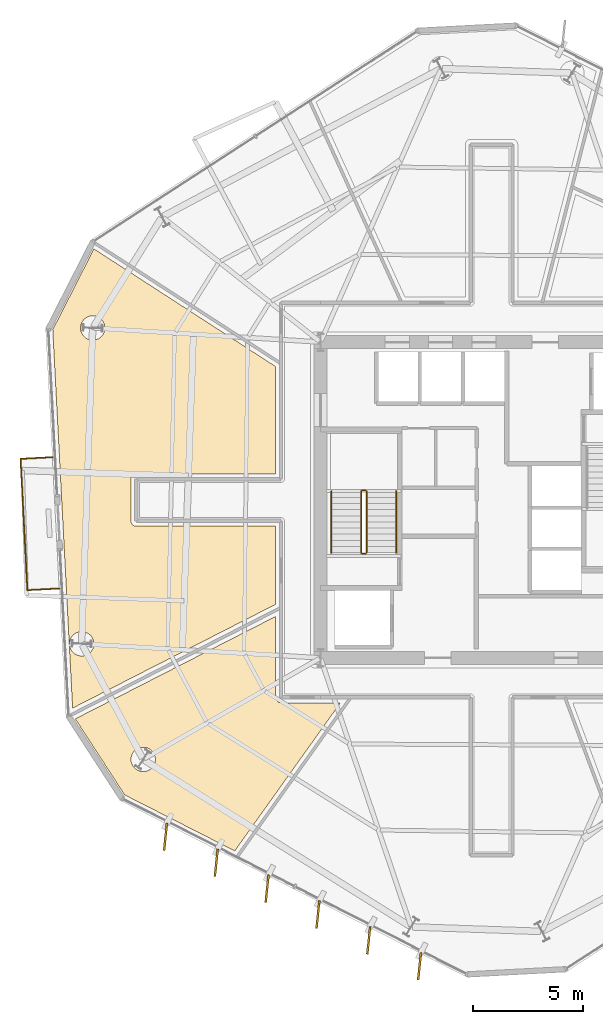
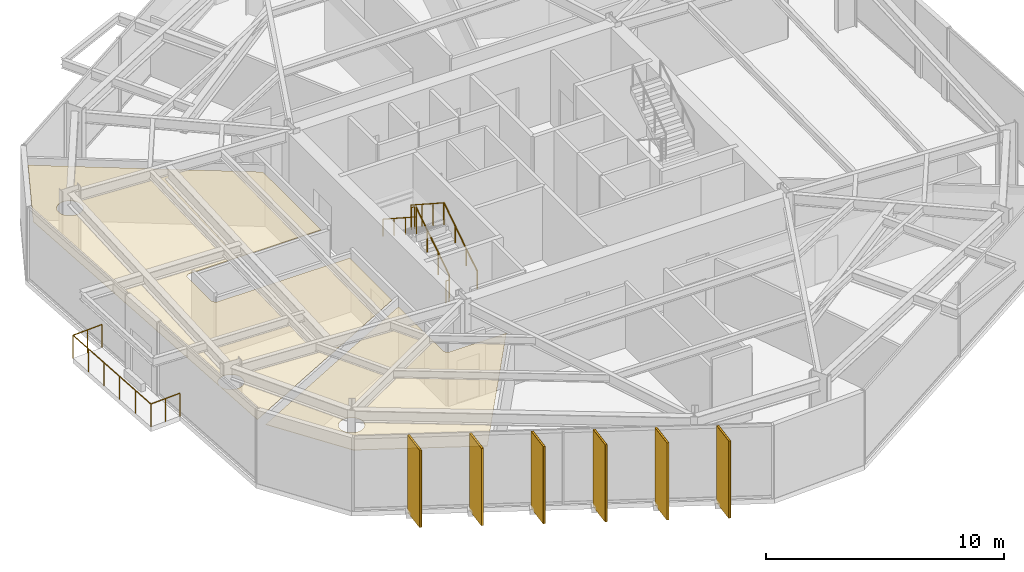
# One storey, part 9 of 12: 8 coverings, 7 railings, 6 shading devices.
"""IFC4 building model written with IfcOpenShell, lengths in metres."""

from ifc_helpers import new_model, si_unit, direction, frame, origin, origin_2d, place, context, subcontext, project, spatial, polyline, rectangle, circle, outline, extrude, material, layer, layer_set, type_object, element, save


model = new_model("IFC4")

# Units and contexts
model_context = context("Model", 3, precision=1e-05, world=origin(), true_north=direction((0.0, 1.0)))
body_context = subcontext(model_context, "Body", "Model", "MODEL_VIEW")
ifc_project = project(units=[si_unit("LENGTHUNIT", "METRE"), si_unit("AREAUNIT", "SQUARE_METRE"), si_unit("VOLUMEUNIT", "CUBIC_METRE"), si_unit("PLANEANGLEUNIT", "RADIAN"), si_unit("MASSUNIT", "GRAM", prefix="KILO")], contexts=[model_context])

# Site, building, storey
site_placement = place(None, origin())
site = spatial("IfcSite", under=ifc_project, at=site_placement, CompositionType="ELEMENT")
building_placement = place(site_placement, origin())
building = spatial("IfcBuilding", under=site, at=building_placement, Name="Kranzbogen Civic Tower", CompositionType="ELEMENT")
storey_placement = place(building_placement, frame((0.0, 0.0, 154.39990234375)))
storey = spatial("IfcBuildingStorey", under=building, at=storey_placement, Name="L37", CompositionType="ELEMENT", Elevation=154.39990234375)

# Coverings
ifc_material_1 = material(Name="Pale Anodised Aluminium", Category="aluminium")
ifc_layer_1 = layer(ifc_material_1, 0.02490234375, Name="Pale Anodised Aluminium")
ifc_layer_set_1 = layer_set([ifc_layer_1], Name="Pale Anodised Aluminium")
covering_type_1 = type_object("IfcCoveringType", Name="Anodised Aluminium Vertical Fin Cladding 25 mm", PredefinedType="CLADDING", material=ifc_layer_set_1)
for number, where, z_axis, x_axis, name in (
    (1, (10.132080078125, 9.64208984375, -0.139892578125), (0.0, 0.0, 1.0), (-0.103816771622, -0.994596439733, 0.0), "L37 vertical fin pale-metal cladding F4-1"),
    (2, (12.447998046875, 8.4619140625, -0.139892578125), (0.0, 0.0, 1.0), (-0.103816771622, -0.994596439733, 0.0), "L37 vertical fin pale-metal cladding F4-2"),
    (3, (14.764892578125, 7.281982421875, -0.139892578125), (0.0, 0.0, 1.0), (-0.103816771622, -0.994596439733, 0.0), "L37 vertical fin pale-metal cladding F4-3"),
    (4, (17.08203125, 6.10107421875, -0.139892578125), (0.0, 0.0, 1.0), (-0.103816771622, -0.994596439733, 0.0), "L37 vertical fin pale-metal cladding F4-4"),
    (5, (19.39794921875, 4.9208984375, -0.139892578125), (0.0, 0.0, 1.0), (-0.103816771622, -0.994596439733, 0.0), "L37 vertical fin pale-metal cladding F4-5"),
    (6, (21.715087890625, 3.740966796875, -0.139892578125), (0.0, 0.0, 1.0), (-0.103816771622, -0.994596439733, 0.0), "L37 vertical fin pale-metal cladding F4-6"),
):
    element("IfcCovering", number, at=place(storey_placement, frame(where, z_axis=z_axis, x_axis=x_axis)), inside=storey, type_object=covering_type_1, Name=name, PredefinedType="CLADDING", context=body_context, shape_type="SweptSolid", body=[
        extrude(rectangle(XDim=1.25, YDim=0.10009765625, at=origin_2d()), origin(), (0.0, 0.0, 1.0), 3.9599609375),
    ])

# Shading devices
ifc_material_2 = material(Name="Anodised Bronze Aluminium", Category="aluminium")
shading_device_type = type_object("IfcShadingDeviceType", Name="Anodised Bronze Vertical Facade Fin 1250x80", PredefinedType="USERDEFINED", material=ifc_material_2)
for number, where, z_axis, x_axis, name in (
    (7, (10.132080078125, 9.64208984375, -0.139892578125), (0.0, 0.0, 1.0), (-0.103816771622, -0.994596439733, 0.0), "L37 vertical exterior shading fin F4-1"),
    (8, (12.447998046875, 8.4619140625, -0.139892578125), (0.0, 0.0, 1.0), (-0.103816771622, -0.994596439733, 0.0), "L37 vertical exterior shading fin F4-2"),
    (9, (14.764892578125, 7.281982421875, -0.139892578125), (0.0, 0.0, 1.0), (-0.103816771622, -0.994596439733, 0.0), "L37 vertical exterior shading fin F4-3"),
    (10, (17.08203125, 6.10107421875, -0.139892578125), (0.0, 0.0, 1.0), (-0.103816771622, -0.994596439733, 0.0), "L37 vertical exterior shading fin F4-4"),
    (11, (19.39794921875, 4.9208984375, -0.139892578125), (0.0, 0.0, 1.0), (-0.103816771622, -0.994596439733, 0.0), "L37 vertical exterior shading fin F4-5"),
    (12, (21.715087890625, 3.740966796875, -0.139892578125), (0.0, 0.0, 1.0), (-0.103816771622, -0.994596439733, 0.0), "L37 vertical exterior shading fin F4-6"),
):
    element("IfcShadingDevice", number, at=place(storey_placement, frame(where, z_axis=z_axis, x_axis=x_axis)), inside=storey, type_object=shading_device_type, Name=name, ObjectType="FIN", PredefinedType="USERDEFINED", context=body_context, shape_type="SweptSolid", body=[
        extrude(rectangle(XDim=1.25, YDim=0.080078125, at=origin_2d()), origin(), (0.0, 0.0, 1.0), 3.9599609375),
    ])

# Railings
railing_type_1 = type_object("IfcRailingType", Name="Cantilevered Balcony Glass and Bronze Balustrade 1200", PredefinedType="BALUSTRADE", material=ifc_material_2)
railing_1_placement = place(storey_placement, frame((4.969970703125, 26.9541015625, 0.0)))
element("IfcRailing", 13, at=railing_1_placement, inside=storey, type_object=railing_type_1, Name="L37 exterior terrace balustrade L37-TB1", PredefinedType="BALUSTRADE", context=body_context, shape_type="SweptSolid", body=[
    extrude(circle(Radius=0.02392578125, at=origin_2d()), frame((0.0, 0.0, 1.17578125), z_axis=(-0.998619224335, -0.052532321361, 0.0), x_axis=(0.052532321361, -0.998619224335, 0.0)), (0.0, 0.0, 1.0), 1.449951171875),
    extrude(circle(Radius=0.02392578125, at=origin_2d()), frame((-1.447998046875, -0.076171875, 1.17578125), z_axis=(0.052334556259, -0.998629608124, 0.0), x_axis=(0.998629608124, 0.052334556259, 0.0)), (0.0, 0.0, 1.0), 5.999267578125),
    extrude(circle(Radius=0.02392578125, at=origin_2d()), frame((-1.134033203125, -6.067138671875, 1.17578125), z_axis=(0.9986280431, 0.05236441096, 0.0), x_axis=(-0.05236441096, 0.9986280431, 0.0)), (0.0, 0.0, 1.0), 1.449951171875),
    extrude(circle(Radius=0.02099609375, at=origin_2d()), origin(), (0.0, 0.0, 1.0), 1.15185546875),
    extrude(circle(Radius=0.02099609375, at=origin_2d()), frame((-0.72412109375, -0.0380859375, 0.0)), (0.0, 0.0, 1.0), 1.15185546875),
    extrude(circle(Radius=0.02099609375, at=origin_2d()), frame((-1.447998046875, -0.076171875, 0.0)), (0.0, 0.0, 1.0), 1.15185546875),
    extrude(circle(Radius=0.02099609375, at=origin_2d()), frame((-1.38525390625, -1.2744140625, 0.0)), (0.0, 0.0, 1.0), 1.15185546875),
    extrude(circle(Radius=0.02099609375, at=origin_2d()), frame((-1.322509765625, -2.47265625, 0.0)), (0.0, 0.0, 1.0), 1.15185546875),
    extrude(circle(Radius=0.02099609375, at=origin_2d()), frame((-1.259521484375, -3.670654296875, 0.0)), (0.0, 0.0, 1.0), 1.15185546875),
    extrude(circle(Radius=0.02099609375, at=origin_2d()), frame((-1.19677734375, -4.868896484375, 0.0)), (0.0, 0.0, 1.0), 1.15185546875),
    extrude(circle(Radius=0.02099609375, at=origin_2d()), frame((-1.134033203125, -6.067138671875, 0.0)), (0.0, 0.0, 1.0), 1.15185546875),
    extrude(circle(Radius=0.02099609375, at=origin_2d()), frame((-0.41015625, -6.029296875, 0.0)), (0.0, 0.0, 1.0), 1.15185546875),
    extrude(circle(Radius=0.02099609375, at=origin_2d()), frame((0.31396484375, -5.9912109375, 0.0)), (0.0, 0.0, 1.0), 1.15185546875),
])
ifc_material_3 = material(Name="Steel S355", Category="steel")
railing_type_2 = type_object("IfcRailingType", Name="Internal Stair and Void Steel Guardrail 1150", PredefinedType="GUARDRAIL", material=ifc_material_3)
railing_2_placement = place(storey_placement, frame((19.300048828125, 22.60009765625, 0.181884765625)))
element("IfcRailing", 14, at=railing_2_placement, inside=storey, type_object=railing_type_2, Name="L37 ST-T1 stair guard 1", PredefinedType="GUARDRAIL", context=body_context, shape_type="SweptSolid", body=[
    extrude(circle(Radius=0.02392578125, at=origin_2d()), frame((0.0, 0.0, 1.1259765625), z_axis=(0.0, 0.83868413941, 0.544618136222), x_axis=(-1.0, 0.0, 0.0)), (0.0, 0.0, 1.0), 3.33837890625),
    extrude(circle(Radius=0.02099609375, at=origin_2d()), origin(), (0.0, 0.0, 1.0), 1.101806640625),
    extrude(circle(Radius=0.02099609375, at=origin_2d()), frame((0.0, 0.933349609375, 0.60595703125)), (0.0, 0.0, 1.0), 1.101806640625),
    extrude(circle(Radius=0.02099609375, at=origin_2d()), frame((0.0, 1.866455078125, 1.212158203125)), (0.0, 0.0, 1.0), 1.101806640625),
    extrude(circle(Radius=0.02099609375, at=origin_2d()), frame((0.0, 2.7998046875, 1.818115234375)), (0.0, 0.0, 1.0), 1.101806640625),
])
railing_3_placement = place(storey_placement, frame((19.25, 25.449951171875, 2.0)))
element("IfcRailing", 15, at=railing_3_placement, inside=storey, type_object=railing_type_2, Name="L37 ST-T1 stair guard 2", PredefinedType="GUARDRAIL", context=body_context, shape_type="SweptSolid", body=[
    extrude(circle(Radius=0.02392578125, at=origin_2d()), frame((0.0, 0.0, 1.1259765625), z_axis=(-1.0, 0.0, 0.0), x_axis=(0.0, -1.0, 0.0)), (0.0, 0.0, 1.0), 0.14990234375),
    extrude(circle(Radius=0.02099609375, at=origin_2d()), origin(), (0.0, 0.0, 1.0), 1.101806640625),
    extrude(circle(Radius=0.02099609375, at=origin_2d()), frame((-0.14990234375, 0.0, 0.0)), (0.0, 0.0, 1.0), 1.101806640625),
])
railing_4_placement = place(storey_placement, frame((19.050048828125, 25.39990234375, 2.181884765625)))
element("IfcRailing", 16, at=railing_4_placement, inside=storey, type_object=railing_type_2, Name="L37 ST-T1 stair guard 3", PredefinedType="GUARDRAIL", context=body_context, shape_type="SweptSolid", body=[
    extrude(circle(Radius=0.02392578125, at=origin_2d()), frame((0.0, 0.0, 1.1259765625), z_axis=(0.0, -0.83868413941, 0.544618136222), x_axis=(1.0, 0.0, 0.0)), (0.0, 0.0, 1.0), 3.33837890625),
    extrude(circle(Radius=0.02099609375, at=origin_2d()), origin(), (0.0, 0.0, 1.0), 1.101806640625),
    extrude(circle(Radius=0.02099609375, at=origin_2d()), frame((0.0, -0.933349609375, 0.60595703125)), (0.0, 0.0, 1.0), 1.101806640625),
    extrude(circle(Radius=0.02099609375, at=origin_2d()), frame((0.0, -1.866455078125, 1.212158203125)), (0.0, 0.0, 1.0), 1.101806640625),
    extrude(circle(Radius=0.02099609375, at=origin_2d()), frame((0.0, -2.7998046875, 1.818115234375)), (0.0, 0.0, 1.0), 1.101806640625),
])
railing_5_placement = place(storey_placement, frame((19.25, 22.550048828125, 0.0)))
element("IfcRailing", 17, at=railing_5_placement, inside=storey, type_object=railing_type_2, Name="L37 ST-T1 stair guard 4", PredefinedType="GUARDRAIL", context=body_context, shape_type="SweptSolid", body=[
    extrude(circle(Radius=0.02392578125, at=origin_2d()), frame((0.0, 0.0, 1.1259765625), z_axis=(-1.0, 0.0, 0.0), x_axis=(0.0, -1.0, 0.0)), (0.0, 0.0, 1.0), 0.14990234375),
    extrude(circle(Radius=0.02099609375, at=origin_2d()), origin(), (0.0, 0.0, 1.0), 1.101806640625),
    extrude(circle(Radius=0.02099609375, at=origin_2d()), frame((-0.14990234375, 0.0, 0.0)), (0.0, 0.0, 1.0), 1.101806640625),
])

# Coverings
ifc_material_4 = material(Name="Perforated Acoustic Gypsum Ceiling")
ifc_layer_2 = layer(ifc_material_4, 0.02490234375, Name="Perforated Acoustic Gypsum Ceiling")
ifc_layer_set_2 = layer_set([ifc_layer_2], Name="Perforated Acoustic Gypsum Ceiling")
covering_type_2 = type_object("IfcCoveringType", Name="Perforated Acoustic Mineral Ceiling Tile 25 mm", PredefinedType="CEILING", material=ifc_layer_set_2)
covering_1_placement = place(storey_placement, frame((0.0, 0.0, 2.900146484375)))
element("IfcCovering", 18, at=covering_1_placement, inside=storey, type_object=covering_type_2, Name="L37 Executive Briefing Conference Room acoustic ceiling", PredefinedType="CEILING", context=body_context, shape_type="SweptSolid", body=[
    extrude(outline(polyline([(6.01806640625, 15.02197265625), (15.155029296875, 19.693115234375), (15.155029296875, 16.0), (15.155029296875, 15.990966796875), (15.156005859375, 15.985107421875), (15.156982421875, 15.967041015625), (15.157958984375, 15.9609375), (15.162109375, 15.944091796875), (15.1630859375, 15.93701171875), (15.16796875, 15.919921875), (15.169921875, 15.9140625), (15.177001953125, 15.89794921875), (15.179931640625, 15.89208984375), (15.18798828125, 15.876953125), (15.19189453125, 15.87109375), (15.200927734375, 15.85693359375), (15.205078125, 15.85205078125), (15.216064453125, 15.837890625), (15.220947265625, 15.8330078125), (15.23291015625, 15.821044921875), (15.238037109375, 15.81591796875), (15.251953125, 15.804931640625), (15.257080078125, 15.801025390625), (15.27099609375, 15.7919921875), (15.277099609375, 15.7880859375), (15.2919921875, 15.780029296875), (15.298095703125, 15.777099609375), (15.31396484375, 15.77001953125), (15.320068359375, 15.76806640625), (15.3369140625, 15.762939453125), (15.343994140625, 15.761962890625), (15.361083984375, 15.758056640625), (15.366943359375, 15.757080078125), (15.385009765625, 15.756103515625), (15.39111328125, 15.7548828125), (15.39990234375, 15.7548828125), (18.10791015625, 15.7548828125), (13.2890625, 8.9970703125), (8.26806640625, 11.554931640625), (6.01806640625, 15.02197265625)]), holes=[polyline([(9.6259765625, 12.958984375), (9.60302734375, 12.909912109375), (9.574951171875, 12.863037109375), (9.54296875, 12.819091796875), (9.506103515625, 12.779052734375), (9.466064453125, 12.741943359375), (9.422119140625, 12.7099609375), (9.375, 12.681884765625), (9.325927734375, 12.658935546875), (9.27490234375, 12.64111328125), (9.221923828125, 12.626953125), (9.16796875, 12.618896484375), (9.114013671875, 12.616943359375), (9.06005859375, 12.618896484375), (9.006103515625, 12.626953125), (8.952880859375, 12.64111328125), (8.902099609375, 12.658935546875), (8.85302734375, 12.681884765625), (8.805908203125, 12.7099609375), (8.761962890625, 12.741943359375), (8.721923828125, 12.779052734375), (8.68505859375, 12.819091796875), (8.653076171875, 12.863037109375), (8.625, 12.909912109375), (8.60205078125, 12.958984375), (8.583984375, 13.010009765625), (8.570068359375, 13.06298828125), (8.56201171875, 13.116943359375), (8.56005859375, 13.1708984375), (8.56201171875, 13.22509765625), (8.570068359375, 13.279052734375), (8.583984375, 13.33203125), (8.60205078125, 13.383056640625), (8.625, 13.431884765625), (8.653076171875, 13.47900390625), (8.68505859375, 13.52294921875), (8.721923828125, 13.56298828125), (8.761962890625, 13.60009765625), (8.805908203125, 13.632080078125), (8.85302734375, 13.659912109375), (8.902099609375, 13.68310546875), (8.952880859375, 13.700927734375), (9.006103515625, 13.715087890625), (9.06005859375, 13.722900390625), (9.114013671875, 13.72509765625), (9.16796875, 13.722900390625), (9.221923828125, 13.715087890625), (9.27490234375, 13.700927734375), (9.325927734375, 13.68310546875), (9.375, 13.659912109375), (9.422119140625, 13.632080078125), (9.466064453125, 13.60009765625), (9.506103515625, 13.56298828125), (9.54296875, 13.52294921875), (9.574951171875, 13.47900390625), (9.60302734375, 13.431884765625), (9.6259765625, 13.383056640625), (9.64404296875, 13.33203125), (9.657958984375, 13.279052734375), (9.666015625, 13.22509765625), (9.66796875, 13.1708984375), (9.666015625, 13.116943359375), (9.657958984375, 13.06298828125), (9.64404296875, 13.010009765625), (9.6259765625, 12.958984375)])]), origin(), (0.0, 0.0, 1.0), 0.02490234375),
])
covering_2_placement = place(storey_placement, frame((0.0, 0.0, 2.900146484375)))
element("IfcCovering", 19, at=covering_2_placement, inside=storey, type_object=covering_type_2, Name="L37 Staff Tea Pantry acoustic ceiling", PredefinedType="CEILING", context=body_context, shape_type="SweptSolid", body=[
    extrude(outline(polyline([(6.866943359375, 36.449951171875), (15.155029296875, 31.0830078125), (15.155029296875, 26.195068359375), (8.800048828125, 26.195068359375), (8.791015625, 26.195068359375), (8.784912109375, 26.194091796875), (8.76708984375, 26.193115234375), (8.760986328125, 26.19189453125), (8.743896484375, 26.18798828125), (8.737060546875, 26.18701171875), (8.719970703125, 26.181884765625), (8.714111328125, 26.179931640625), (8.697998046875, 26.173095703125), (8.69189453125, 26.169921875), (8.677001953125, 26.162109375), (8.6708984375, 26.157958984375), (8.656982421875, 26.14892578125), (8.652099609375, 26.14501953125), (8.637939453125, 26.134033203125), (8.633056640625, 26.12890625), (8.62109375, 26.116943359375), (8.615966796875, 26.112060546875), (8.60498046875, 26.097900390625), (8.60107421875, 26.093017578125), (8.592041015625, 26.0791015625), (8.587890625, 26.072998046875), (8.580078125, 26.05810546875), (8.576904296875, 26.052001953125), (8.570068359375, 26.035888671875), (8.568115234375, 26.030029296875), (8.56298828125, 26.012939453125), (8.56201171875, 26.006103515625), (8.55810546875, 25.989013671875), (8.556884765625, 25.98291015625), (8.555908203125, 25.965087890625), (8.554931640625, 25.958984375), (8.554931640625, 25.949951171875), (8.554931640625, 24.050048828125), (8.554931640625, 24.041015625), (8.555908203125, 24.034912109375), (8.556884765625, 24.01708984375), (8.55810546875, 24.010986328125), (8.56201171875, 23.993896484375), (8.56298828125, 23.987060546875), (8.568115234375, 23.969970703125), (8.570068359375, 23.964111328125), (8.576904296875, 23.947998046875), (8.580078125, 23.94189453125), (8.587890625, 23.927001953125), (8.592041015625, 23.9208984375), (8.60107421875, 23.906982421875), (8.60498046875, 23.902099609375), (8.615966796875, 23.887939453125), (8.62109375, 23.883056640625), (8.633056640625, 23.87109375), (8.637939453125, 23.865966796875), (8.652099609375, 23.85498046875), (8.656982421875, 23.85107421875), (8.6708984375, 23.842041015625), (8.677001953125, 23.837890625), (8.69189453125, 23.830078125), (8.697998046875, 23.826904296875), (8.714111328125, 23.820068359375), (8.719970703125, 23.818115234375), (8.737060546875, 23.81298828125), (8.743896484375, 23.81201171875), (8.760986328125, 23.80810546875), (8.76708984375, 23.806884765625), (8.784912109375, 23.805908203125), (8.791015625, 23.804931640625), (8.800048828125, 23.804931640625), (15.155029296875, 23.804931640625), (15.155029296875, 20.242919921875), (5.89599609375, 15.510009765625), (4.990966796875, 32.76806640625), (6.866943359375, 36.449951171875)]), holes=[polyline([(6.822021484375, 18.23193359375), (6.799072265625, 18.18310546875), (6.77099609375, 18.135986328125), (6.739013671875, 18.092041015625), (6.701904296875, 18.052001953125), (6.662109375, 18.014892578125), (6.617919921875, 17.98291015625), (6.571044921875, 17.955078125), (6.52197265625, 17.931884765625), (6.470947265625, 17.9140625), (6.41796875, 17.89990234375), (6.364013671875, 17.89208984375), (6.31005859375, 17.889892578125), (6.256103515625, 17.89208984375), (6.201904296875, 17.89990234375), (6.14892578125, 17.9140625), (6.097900390625, 17.931884765625), (6.049072265625, 17.955078125), (6.001953125, 17.98291015625), (5.9580078125, 18.014892578125), (5.91796875, 18.052001953125), (5.881103515625, 18.092041015625), (5.84912109375, 18.135986328125), (5.821044921875, 18.18310546875), (5.798095703125, 18.23193359375), (5.780029296875, 18.282958984375), (5.76611328125, 18.3359375), (5.758056640625, 18.389892578125), (5.756103515625, 18.444091796875), (5.758056640625, 18.498046875), (5.76611328125, 18.552001953125), (5.780029296875, 18.60498046875), (5.798095703125, 18.656005859375), (5.821044921875, 18.705078125), (5.84912109375, 18.751953125), (5.881103515625, 18.7958984375), (5.91796875, 18.8359375), (5.9580078125, 18.873046875), (6.001953125, 18.905029296875), (6.049072265625, 18.93310546875), (6.097900390625, 18.9560546875), (6.14892578125, 18.97412109375), (6.201904296875, 18.988037109375), (6.256103515625, 18.99609375), (6.31005859375, 18.998046875), (6.364013671875, 18.99609375), (6.41796875, 18.988037109375), (6.470947265625, 18.97412109375), (6.52197265625, 18.9560546875), (6.571044921875, 18.93310546875), (6.617919921875, 18.905029296875), (6.662109375, 18.873046875), (6.701904296875, 18.8359375), (6.739013671875, 18.7958984375), (6.77099609375, 18.751953125), (6.799072265625, 18.705078125), (6.822021484375, 18.656005859375), (6.840087890625, 18.60498046875), (6.85400390625, 18.552001953125), (6.862060546875, 18.498046875), (6.864013671875, 18.444091796875), (6.862060546875, 18.389892578125), (6.85400390625, 18.3359375), (6.840087890625, 18.282958984375), (6.822021484375, 18.23193359375)]), polyline([(7.324951171875, 32.632080078125), (7.302001953125, 32.5830078125), (7.27392578125, 32.535888671875), (7.241943359375, 32.491943359375), (7.205078125, 32.451904296875), (7.1650390625, 32.4150390625), (7.12109375, 32.383056640625), (7.073974609375, 32.35498046875), (7.02490234375, 32.33203125), (6.97412109375, 32.31396484375), (6.9208984375, 32.300048828125), (6.866943359375, 32.2919921875), (6.81298828125, 32.2900390625), (6.759033203125, 32.2919921875), (6.705078125, 32.300048828125), (6.652099609375, 32.31396484375), (6.60107421875, 32.33203125), (6.552001953125, 32.35498046875), (6.5048828125, 32.383056640625), (6.4609375, 32.4150390625), (6.4208984375, 32.451904296875), (6.384033203125, 32.491943359375), (6.35205078125, 32.535888671875), (6.323974609375, 32.5830078125), (6.301025390625, 32.632080078125), (6.282958984375, 32.68310546875), (6.26904296875, 32.736083984375), (6.260986328125, 32.7900390625), (6.259033203125, 32.843994140625), (6.260986328125, 32.89794921875), (6.26904296875, 32.951904296875), (6.282958984375, 33.0048828125), (6.301025390625, 33.055908203125), (6.323974609375, 33.10498046875), (6.35205078125, 33.152099609375), (6.384033203125, 33.196044921875), (6.4208984375, 33.236083984375), (6.4609375, 33.27294921875), (6.5048828125, 33.304931640625), (6.552001953125, 33.3330078125), (6.60107421875, 33.35595703125), (6.652099609375, 33.3740234375), (6.705078125, 33.387939453125), (6.759033203125, 33.39599609375), (6.81298828125, 33.39794921875), (6.866943359375, 33.39599609375), (6.9208984375, 33.387939453125), (6.97412109375, 33.3740234375), (7.02490234375, 33.35595703125), (7.073974609375, 33.3330078125), (7.12109375, 33.304931640625), (7.1650390625, 33.27294921875), (7.205078125, 33.236083984375), (7.241943359375, 33.196044921875), (7.27392578125, 33.152099609375), (7.302001953125, 33.10498046875), (7.324951171875, 33.055908203125), (7.343017578125, 33.0048828125), (7.35693359375, 32.951904296875), (7.364990234375, 32.89794921875), (7.366943359375, 32.843994140625), (7.364990234375, 32.7900390625), (7.35693359375, 32.736083984375), (7.343017578125, 32.68310546875), (7.324951171875, 32.632080078125)])]), origin(), (0.0, 0.0, 1.0), 0.02490234375),
])

# Railings
railing_type_3 = type_object("IfcRailingType", Name="Tubular Stainless Stair Wall Handrail 900", PredefinedType="HANDRAIL", material=ifc_material_1)
railing_6_placement = place(storey_placement, frame((20.64990234375, 22.60009765625, 0.181884765625)))
element("IfcRailing", 20, at=railing_6_placement, inside=storey, type_object=railing_type_3, Name="L37 ST-T1 stair handrail 1", PredefinedType="HANDRAIL", context=body_context, shape_type="SweptSolid", body=[
    extrude(circle(Radius=0.02392578125, at=origin_2d()), frame((0.0, 0.0, 0.8759765625), z_axis=(0.0, 0.83868413941, 0.544618136222), x_axis=(-1.0, 0.0, 0.0)), (0.0, 0.0, 1.0), 3.33837890625),
    extrude(circle(Radius=0.02099609375, at=origin_2d()), origin(), (0.0, 0.0, 1.0), 0.851806640625),
    extrude(circle(Radius=0.02099609375, at=origin_2d()), frame((0.0, 0.933349609375, 0.60595703125)), (0.0, 0.0, 1.0), 0.851806640625),
    extrude(circle(Radius=0.02099609375, at=origin_2d()), frame((0.0, 1.866455078125, 1.212158203125)), (0.0, 0.0, 1.0), 0.851806640625),
    extrude(circle(Radius=0.02099609375, at=origin_2d()), frame((0.0, 2.7998046875, 1.818115234375)), (0.0, 0.0, 1.0), 0.851806640625),
])
railing_7_placement = place(storey_placement, frame((17.699951171875, 25.39990234375, 2.181884765625)))
element("IfcRailing", 21, at=railing_7_placement, inside=storey, type_object=railing_type_3, Name="L37 ST-T1 stair handrail 2", PredefinedType="HANDRAIL", context=body_context, shape_type="SweptSolid", body=[
    extrude(circle(Radius=0.02392578125, at=origin_2d()), frame((0.0, 0.0, 0.8759765625), z_axis=(0.0, -0.83868413941, 0.544618136222), x_axis=(1.0, 0.0, 0.0)), (0.0, 0.0, 1.0), 3.33837890625),
    extrude(circle(Radius=0.02099609375, at=origin_2d()), origin(), (0.0, 0.0, 1.0), 0.851806640625),
    extrude(circle(Radius=0.02099609375, at=origin_2d()), frame((0.0, -0.933349609375, 0.60595703125)), (0.0, 0.0, 1.0), 0.851806640625),
    extrude(circle(Radius=0.02099609375, at=origin_2d()), frame((0.0, -1.866455078125, 1.212158203125)), (0.0, 0.0, 1.0), 0.851806640625),
    extrude(circle(Radius=0.02099609375, at=origin_2d()), frame((0.0, -2.7998046875, 1.818115234375)), (0.0, 0.0, 1.0), 0.851806640625),
])

save(model, "model.ifc")
